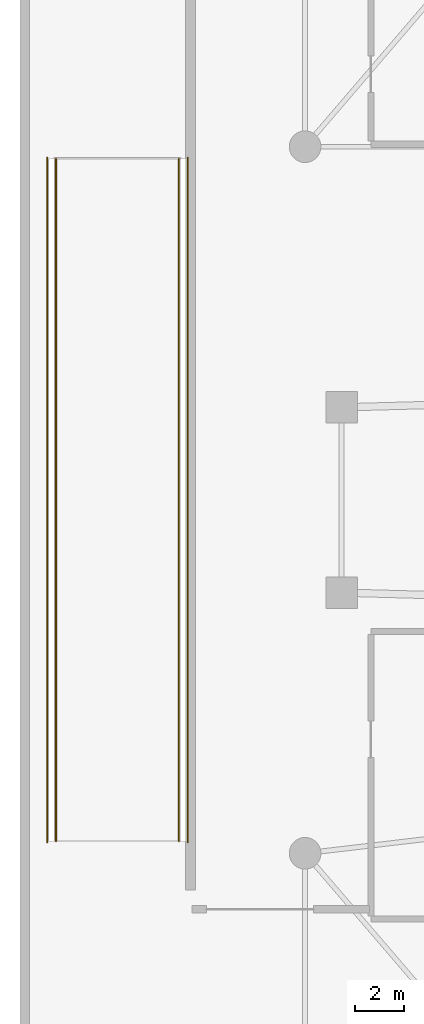
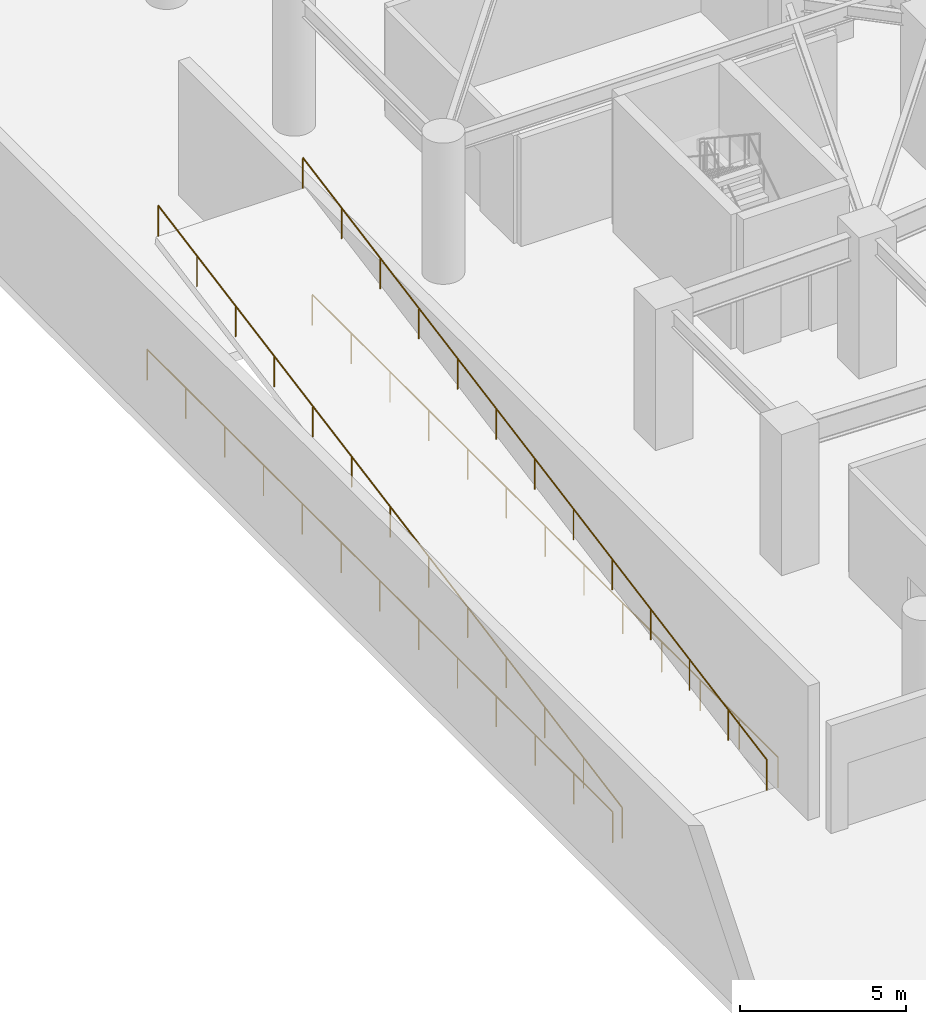
# One storey, part 9 of 12: 4 railings.
"""IFC4 building model written with IfcOpenShell, lengths in metres."""

from ifc_helpers import new_model, si_unit, direction, frame, origin, origin_2d, place, context, subcontext, project, spatial, circle, extrude, material, type_object, element, save


model = new_model("IFC4")

# Units and contexts
model_context = context("Model", 3, precision=1e-05, world=origin(), true_north=direction((0.0, 1.0)))
body_context = subcontext(model_context, "Body", "Model", "MODEL_VIEW")
ifc_project = project(units=[si_unit("LENGTHUNIT", "METRE"), si_unit("AREAUNIT", "SQUARE_METRE"), si_unit("VOLUMEUNIT", "CUBIC_METRE"), si_unit("PLANEANGLEUNIT", "RADIAN"), si_unit("MASSUNIT", "GRAM", prefix="KILO")], contexts=[model_context])

# Site, building, storey
site_placement = place(None, origin())
site = spatial("IfcSite", under=ifc_project, at=site_placement, CompositionType="ELEMENT")
building_placement = place(site_placement, origin())
building = spatial("IfcBuilding", under=site, at=building_placement, Name="Qingluan Cross Belvedere", CompositionType="ELEMENT")
storey_placement = place(building_placement, frame((0.0, 0.0, -5.199951171875)))
storey = spatial("IfcBuildingStorey", under=building, at=storey_placement, Name="B1", CompositionType="ELEMENT", Elevation=-5.199951171875)

# Railings
ifc_material = material(Name="Laminated glass and stainless steel balustrade", Category="steel")
railing_type = type_object("IfcRailingType", Name="TerraceGuardBalustrade_1150", PredefinedType="BALUSTRADE", material=ifc_material)
railing_1_placement = place(storey_placement, frame((-38.719970703125, -14.0, 0.0)))
element("IfcRailing", 1, at=railing_1_placement, inside=storey, type_object=railing_type, Name="Vehicle ramp side guard VR2-W", PredefinedType="BALUSTRADE", context=body_context, shape_type="SweptSolid", body=[
    extrude(circle(Radius=0.02392578125, at=origin_2d()), frame((0.0, 0.0, 1.1259765625), z_axis=(0.0, 0.983189043875, 0.18259053646), x_axis=(-1.0, 0.0, 0.0)), (0.0, 0.0, 1.0), 28.478759765625),
    extrude(circle(Radius=0.02099609375, at=origin_2d()), origin(), (0.0, 0.0, 1.0), 1.101806640625),
    extrude(circle(Radius=0.02099609375, at=origin_2d()), frame((0.0, 2.333251953125, 0.433349609375)), (0.0, 0.0, 1.0), 1.101806640625),
    extrude(circle(Radius=0.02099609375, at=origin_2d()), frame((0.0, 4.666748046875, 0.86669921875)), (0.0, 0.0, 1.0), 1.101806640625),
    extrude(circle(Radius=0.02099609375, at=origin_2d()), frame((0.0, 7.0, 1.300048828125)), (0.0, 0.0, 1.0), 1.101806640625),
    extrude(circle(Radius=0.02099609375, at=origin_2d()), frame((0.0, 9.333251953125, 1.7333984375)), (0.0, 0.0, 1.0), 1.101806640625),
    extrude(circle(Radius=0.02099609375, at=origin_2d()), frame((0.0, 11.666748046875, 2.166748046875)), (0.0, 0.0, 1.0), 1.101806640625),
    extrude(circle(Radius=0.02099609375, at=origin_2d()), frame((0.0, 14.0, 2.60009765625)), (0.0, 0.0, 1.0), 1.101806640625),
    extrude(circle(Radius=0.02099609375, at=origin_2d()), frame((0.0, 16.333251953125, 3.033203125)), (0.0, 0.0, 1.0), 1.101806640625),
    extrude(circle(Radius=0.02099609375, at=origin_2d()), frame((0.0, 18.666748046875, 3.466552734375)), (0.0, 0.0, 1.0), 1.101806640625),
    extrude(circle(Radius=0.02099609375, at=origin_2d()), frame((0.0, 21.0, 3.89990234375)), (0.0, 0.0, 1.0), 1.101806640625),
    extrude(circle(Radius=0.02099609375, at=origin_2d()), frame((0.0, 23.333251953125, 4.333251953125)), (0.0, 0.0, 1.0), 1.101806640625),
    extrude(circle(Radius=0.02099609375, at=origin_2d()), frame((0.0, 25.666748046875, 4.7666015625)), (0.0, 0.0, 1.0), 1.101806640625),
    extrude(circle(Radius=0.02099609375, at=origin_2d()), frame((0.0, 28.0, 5.199951171875)), (0.0, 0.0, 1.0), 1.101806640625),
])
railing_2_placement = place(storey_placement, frame((-33.679931640625, -14.0, 0.0)))
element("IfcRailing", 2, at=railing_2_placement, inside=storey, type_object=railing_type, Name="Vehicle ramp side guard VR2-E", PredefinedType="BALUSTRADE", context=body_context, shape_type="SweptSolid", body=[
    extrude(circle(Radius=0.02392578125, at=origin_2d()), frame((0.0, 0.0, 1.1259765625), z_axis=(0.0, 0.983189043875, 0.18259053646), x_axis=(-1.0, 0.0, 0.0)), (0.0, 0.0, 1.0), 28.478759765625),
    extrude(circle(Radius=0.02099609375, at=origin_2d()), origin(), (0.0, 0.0, 1.0), 1.101806640625),
    extrude(circle(Radius=0.02099609375, at=origin_2d()), frame((0.0, 2.333251953125, 0.433349609375)), (0.0, 0.0, 1.0), 1.101806640625),
    extrude(circle(Radius=0.02099609375, at=origin_2d()), frame((0.0, 4.666748046875, 0.86669921875)), (0.0, 0.0, 1.0), 1.101806640625),
    extrude(circle(Radius=0.02099609375, at=origin_2d()), frame((0.0, 7.0, 1.300048828125)), (0.0, 0.0, 1.0), 1.101806640625),
    extrude(circle(Radius=0.02099609375, at=origin_2d()), frame((0.0, 9.333251953125, 1.7333984375)), (0.0, 0.0, 1.0), 1.101806640625),
    extrude(circle(Radius=0.02099609375, at=origin_2d()), frame((0.0, 11.666748046875, 2.166748046875)), (0.0, 0.0, 1.0), 1.101806640625),
    extrude(circle(Radius=0.02099609375, at=origin_2d()), frame((0.0, 14.0, 2.60009765625)), (0.0, 0.0, 1.0), 1.101806640625),
    extrude(circle(Radius=0.02099609375, at=origin_2d()), frame((0.0, 16.333251953125, 3.033203125)), (0.0, 0.0, 1.0), 1.101806640625),
    extrude(circle(Radius=0.02099609375, at=origin_2d()), frame((0.0, 18.666748046875, 3.466552734375)), (0.0, 0.0, 1.0), 1.101806640625),
    extrude(circle(Radius=0.02099609375, at=origin_2d()), frame((0.0, 21.0, 3.89990234375)), (0.0, 0.0, 1.0), 1.101806640625),
    extrude(circle(Radius=0.02099609375, at=origin_2d()), frame((0.0, 23.333251953125, 4.333251953125)), (0.0, 0.0, 1.0), 1.101806640625),
    extrude(circle(Radius=0.02099609375, at=origin_2d()), frame((0.0, 25.666748046875, 4.7666015625)), (0.0, 0.0, 1.0), 1.101806640625),
    extrude(circle(Radius=0.02099609375, at=origin_2d()), frame((0.0, 28.0, 5.199951171875)), (0.0, 0.0, 1.0), 1.101806640625),
])
railing_3_placement = place(storey_placement, frame((-39.080078125, -14.050048828125, 0.0)))
element("IfcRailing", 3, at=railing_3_placement, inside=storey, type_object=railing_type, Name="Ramp well longitudinal guard B1-WW", PredefinedType="BALUSTRADE", context=body_context, shape_type="SweptSolid", body=[
    extrude(circle(Radius=0.02392578125, at=origin_2d()), frame((0.0, 0.0, 1.1259765625), z_axis=(0.0, 1.0, 0.0), x_axis=(-1.0, 0.0, 0.0)), (0.0, 0.0, 1.0), 28.10009765625),
    extrude(circle(Radius=0.02099609375, at=origin_2d()), origin(), (0.0, 0.0, 1.0), 1.101806640625),
    extrude(circle(Radius=0.02099609375, at=origin_2d()), frame((0.0, 2.341796875, 0.0)), (0.0, 0.0, 1.0), 1.101806640625),
    extrude(circle(Radius=0.02099609375, at=origin_2d()), frame((0.0, 4.683349609375, 0.0)), (0.0, 0.0, 1.0), 1.101806640625),
    extrude(circle(Radius=0.02099609375, at=origin_2d()), frame((0.0, 7.02490234375, 0.0)), (0.0, 0.0, 1.0), 1.101806640625),
    extrude(circle(Radius=0.02099609375, at=origin_2d()), frame((0.0, 9.36669921875, 0.0)), (0.0, 0.0, 1.0), 1.101806640625),
    extrude(circle(Radius=0.02099609375, at=origin_2d()), frame((0.0, 11.70849609375, 0.0)), (0.0, 0.0, 1.0), 1.101806640625),
    extrude(circle(Radius=0.02099609375, at=origin_2d()), frame((0.0, 14.050048828125, 0.0)), (0.0, 0.0, 1.0), 1.101806640625),
    extrude(circle(Radius=0.02099609375, at=origin_2d()), frame((0.0, 16.3916015625, 0.0)), (0.0, 0.0, 1.0), 1.101806640625),
    extrude(circle(Radius=0.02099609375, at=origin_2d()), frame((0.0, 18.7333984375, 0.0)), (0.0, 0.0, 1.0), 1.101806640625),
    extrude(circle(Radius=0.02099609375, at=origin_2d()), frame((0.0, 21.0751953125, 0.0)), (0.0, 0.0, 1.0), 1.101806640625),
    extrude(circle(Radius=0.02099609375, at=origin_2d()), frame((0.0, 23.416748046875, 0.0)), (0.0, 0.0, 1.0), 1.101806640625),
    extrude(circle(Radius=0.02099609375, at=origin_2d()), frame((0.0, 25.75830078125, 0.0)), (0.0, 0.0, 1.0), 1.101806640625),
    extrude(circle(Radius=0.02099609375, at=origin_2d()), frame((0.0, 28.10009765625, 0.0)), (0.0, 0.0, 1.0), 1.101806640625),
])
railing_4_placement = place(storey_placement, frame((-33.320068359375, -14.050048828125, 0.0)))
element("IfcRailing", 4, at=railing_4_placement, inside=storey, type_object=railing_type, Name="Ramp well longitudinal guard B1-WE", PredefinedType="BALUSTRADE", context=body_context, shape_type="SweptSolid", body=[
    extrude(circle(Radius=0.02392578125, at=origin_2d()), frame((0.0, 0.0, 1.1259765625), z_axis=(0.0, 1.0, 0.0), x_axis=(-1.0, 0.0, 0.0)), (0.0, 0.0, 1.0), 28.10009765625),
    extrude(circle(Radius=0.02099609375, at=origin_2d()), origin(), (0.0, 0.0, 1.0), 1.101806640625),
    extrude(circle(Radius=0.02099609375, at=origin_2d()), frame((0.0, 2.341796875, 0.0)), (0.0, 0.0, 1.0), 1.101806640625),
    extrude(circle(Radius=0.02099609375, at=origin_2d()), frame((0.0, 4.683349609375, 0.0)), (0.0, 0.0, 1.0), 1.101806640625),
    extrude(circle(Radius=0.02099609375, at=origin_2d()), frame((0.0, 7.02490234375, 0.0)), (0.0, 0.0, 1.0), 1.101806640625),
    extrude(circle(Radius=0.02099609375, at=origin_2d()), frame((0.0, 9.36669921875, 0.0)), (0.0, 0.0, 1.0), 1.101806640625),
    extrude(circle(Radius=0.02099609375, at=origin_2d()), frame((0.0, 11.70849609375, 0.0)), (0.0, 0.0, 1.0), 1.101806640625),
    extrude(circle(Radius=0.02099609375, at=origin_2d()), frame((0.0, 14.050048828125, 0.0)), (0.0, 0.0, 1.0), 1.101806640625),
    extrude(circle(Radius=0.02099609375, at=origin_2d()), frame((0.0, 16.3916015625, 0.0)), (0.0, 0.0, 1.0), 1.101806640625),
    extrude(circle(Radius=0.02099609375, at=origin_2d()), frame((0.0, 18.7333984375, 0.0)), (0.0, 0.0, 1.0), 1.101806640625),
    extrude(circle(Radius=0.02099609375, at=origin_2d()), frame((0.0, 21.0751953125, 0.0)), (0.0, 0.0, 1.0), 1.101806640625),
    extrude(circle(Radius=0.02099609375, at=origin_2d()), frame((0.0, 23.416748046875, 0.0)), (0.0, 0.0, 1.0), 1.101806640625),
    extrude(circle(Radius=0.02099609375, at=origin_2d()), frame((0.0, 25.75830078125, 0.0)), (0.0, 0.0, 1.0), 1.101806640625),
    extrude(circle(Radius=0.02099609375, at=origin_2d()), frame((0.0, 28.10009765625, 0.0)), (0.0, 0.0, 1.0), 1.101806640625),
])

save(model, "model.ifc")
